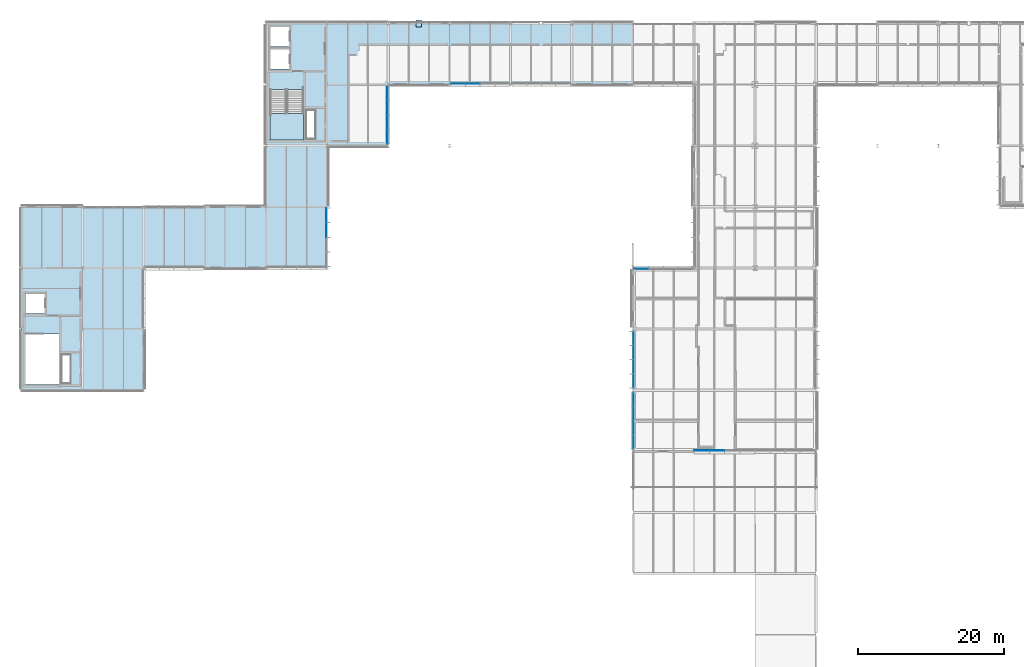
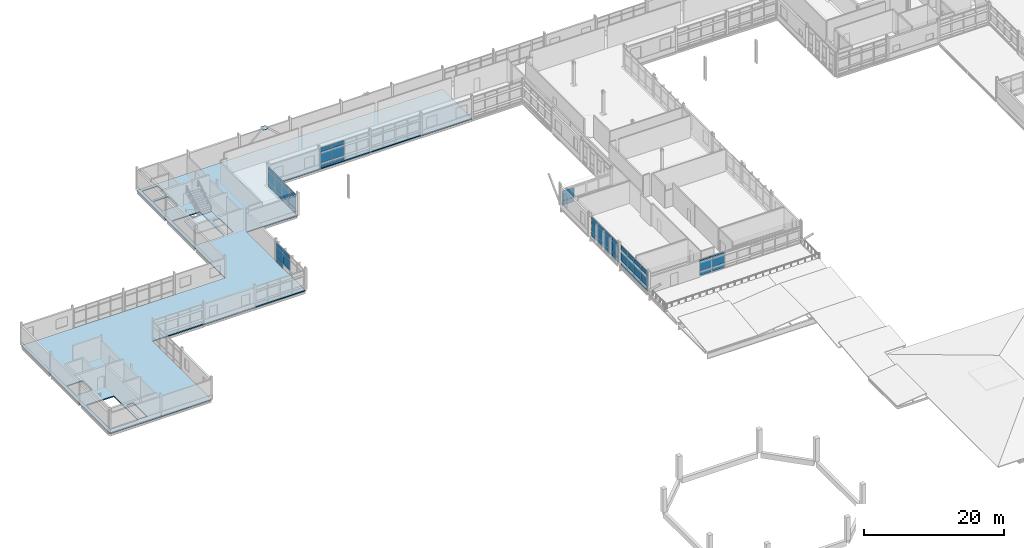
# One storey, part 75 of 103: 56 plates, 2 slabs, 8 elements without a shape of their own.
"""IFC4 building model written with IfcOpenShell, lengths in metres."""

from ifc_helpers import new_model, si_unit, direction, frame, origin, origin_2d, place, context, subcontext, project, spatial, polyline, rectangle, outline, extrude, material, layer, layer_set, type_object, element, aggregate, save


model = new_model("IFC4")

# Units and contexts
model_context = context("Model", 3, precision=1e-05, world=origin(), true_north=direction((0.0, 1.0)))
body_context = subcontext(model_context, "Body", "Model", "MODEL_VIEW")
ifc_project = project(units=[si_unit("LENGTHUNIT", "METRE"), si_unit("AREAUNIT", "SQUARE_METRE"), si_unit("VOLUMEUNIT", "CUBIC_METRE"), si_unit("PLANEANGLEUNIT", "RADIAN"), si_unit("MASSUNIT", "GRAM", prefix="KILO")], contexts=[model_context])

# Site, building, storey
site_placement = place(None, origin())
site = spatial("IfcSite", under=ifc_project, at=site_placement, CompositionType="ELEMENT")
building_placement = place(site_placement, origin())
building = spatial("IfcBuilding", under=site, at=building_placement, Name="Mersafa Astral City Hall", CompositionType="ELEMENT")
storey_placement = place(building_placement, frame((0.0, 0.0, 18.0)))
storey = spatial("IfcBuildingStorey", under=building, at=storey_placement, Name="L04", CompositionType="ELEMENT", Elevation=18.0)

# Curtain wall, plates
ifc_material_1 = material(Name="Anodised bronze aluminium framing", Category="aluminium")
curtain_wall_type_1 = type_object("IfcCurtainWallType", Name="ENV-CW-1", PredefinedType="USERDEFINED", material=ifc_material_1)
curtain_wall_1_placement = place(storey_placement, origin())
curtain_wall_1 = element("IfcCurtainWall", 1, at=curtain_wall_1_placement, inside=storey, type_object=curtain_wall_type_1, Name="L04 Unitised solar curtain wall 204", ObjectType="UNITISED CURTAIN WALL", PredefinedType="USERDEFINED")
ifc_material_2 = material(Name="Solar control low-e double glazing", Category="glass")
ifc_layer_1 = layer(ifc_material_2, 0.028076171875, Name="Solar control low-e double glazing")
ifc_layer_set_1 = layer_set([ifc_layer_1], Name="Solar control low-e double glazing — ENV-CW-PNL-GLZ-1")
plate_type_1 = type_object("IfcPlateType", Name="ENV-CW-PNL-GLZ-1", PredefinedType="CURTAIN_PANEL", material=ifc_layer_set_1)
plate_1_placement = place(storey_placement, frame((68.386474609375, 117.719970703125, 0.05810546875), z_axis=(0.0, 0.0, 1.0), x_axis=(1.0, 0.0, 0.0)))
plate_1 = element("IfcPlate", 2, at=plate_1_placement, type_object=plate_type_1, Name="CW-1 panel 1.1", PredefinedType="CURTAIN_PANEL", context=body_context, shape_type="SweptSolid", body=[
    extrude(rectangle(XDim=1.928955078125, YDim=0.028076171875, at=origin_2d()), origin(), (0.0, 0.0, 1.0), 0.761962890625),
])
plate_2_placement = place(storey_placement, frame((68.386474609375, 117.719970703125, 0.8798828125), z_axis=(0.0, 0.0, 1.0), x_axis=(1.0, 0.0, 0.0)))
plate_2 = element("IfcPlate", 3, at=plate_2_placement, type_object=plate_type_1, Name="CW-1 panel 1.2", PredefinedType="CURTAIN_PANEL", context=body_context, shape_type="SweptSolid", body=[
    extrude(rectangle(XDim=1.928955078125, YDim=0.028076171875, at=origin_2d()), origin(), (0.0, 0.0, 1.0), 1.840087890625),
])
plate_3_placement = place(storey_placement, frame((68.386474609375, 117.719970703125, 2.780029296875), z_axis=(0.0, 0.0, 1.0), x_axis=(1.0, 0.0, 0.0)))
plate_3 = element("IfcPlate", 4, at=plate_3_placement, type_object=plate_type_1, Name="CW-1 panel 1.3", PredefinedType="CURTAIN_PANEL", context=body_context, shape_type="SweptSolid", body=[
    extrude(rectangle(XDim=1.928955078125, YDim=0.028076171875, at=origin_2d()), origin(), (0.0, 0.0, 1.0), 0.6669921875),
])
plate_4_placement = place(storey_placement, frame((70.390380859375, 117.719970703125, 0.05810546875), z_axis=(0.0, 0.0, 1.0), x_axis=(1.0, 0.0, 0.0)))
plate_4 = element("IfcPlate", 5, at=plate_4_placement, type_object=plate_type_1, Name="CW-1 panel 2.1", PredefinedType="CURTAIN_PANEL", context=body_context, shape_type="SweptSolid", body=[
    extrude(rectangle(XDim=1.958984375, YDim=0.028076171875, at=origin_2d()), origin(), (0.0, 0.0, 1.0), 0.761962890625),
])
plate_5_placement = place(storey_placement, frame((70.390380859375, 117.719970703125, 0.8798828125), z_axis=(0.0, 0.0, 1.0), x_axis=(1.0, 0.0, 0.0)))
plate_5 = element("IfcPlate", 6, at=plate_5_placement, type_object=plate_type_1, Name="CW-1 panel 2.2", PredefinedType="CURTAIN_PANEL", context=body_context, shape_type="SweptSolid", body=[
    extrude(rectangle(XDim=1.958984375, YDim=0.028076171875, at=origin_2d()), origin(), (0.0, 0.0, 1.0), 1.840087890625),
])
plate_6_placement = place(storey_placement, frame((70.390380859375, 117.719970703125, 2.780029296875), z_axis=(0.0, 0.0, 1.0), x_axis=(1.0, 0.0, 0.0)))
plate_6 = element("IfcPlate", 7, at=plate_6_placement, type_object=plate_type_1, Name="CW-1 panel 2.3", PredefinedType="CURTAIN_PANEL", context=body_context, shape_type="SweptSolid", body=[
    extrude(rectangle(XDim=1.958984375, YDim=0.028076171875, at=origin_2d()), origin(), (0.0, 0.0, 1.0), 0.6669921875),
])
aggregate(curtain_wall_1, [plate_1, plate_2, plate_3, plate_4, plate_5, plate_6])

curtain_wall_type_2 = type_object("IfcCurtainWallType", Name="ENV-CW-3", PredefinedType="USERDEFINED", material=ifc_material_1)
curtain_wall_2_placement = place(storey_placement, origin())
curtain_wall_2 = element("IfcCurtainWall", 8, at=curtain_wall_2_placement, inside=storey, type_object=curtain_wall_type_2, Name="L04 Unitised solar curtain wall 212", ObjectType="UNITISED CURTAIN WALL", PredefinedType="USERDEFINED")
plate_7_placement = place(storey_placement, frame((101.864990234375, 67.320068359375, 0.05810546875), z_axis=(0.0, 0.0, 1.0), x_axis=(1.0, 0.0, 0.0)))
plate_7 = element("IfcPlate", 9, at=plate_7_placement, type_object=plate_type_1, Name="CW-3 panel 1.1", PredefinedType="CURTAIN_PANEL", context=body_context, shape_type="SweptSolid", body=[
    extrude(rectangle(XDim=2.010009765625, YDim=0.028076171875, at=origin_2d()), origin(), (0.0, 0.0, 1.0), 0.761962890625),
])
plate_8_placement = place(storey_placement, frame((101.864990234375, 67.320068359375, 0.880126953125), z_axis=(0.0, 0.0, 1.0), x_axis=(1.0, 0.0, 0.0)))
plate_8 = element("IfcPlate", 10, at=plate_8_placement, type_object=plate_type_1, Name="CW-3 panel 1.2", PredefinedType="CURTAIN_PANEL", context=body_context, shape_type="SweptSolid", body=[
    extrude(rectangle(XDim=2.010009765625, YDim=0.028076171875, at=origin_2d()), origin(), (0.0, 0.0, 1.0), 1.60693359375),
])
plate_9_placement = place(storey_placement, frame((101.864990234375, 67.320068359375, 2.546875), z_axis=(0.0, 0.0, 1.0), x_axis=(1.0, 0.0, 0.0)))
plate_9 = element("IfcPlate", 11, at=plate_9_placement, type_object=plate_type_1, Name="CW-3 panel 1.3", PredefinedType="CURTAIN_PANEL", context=body_context, shape_type="SweptSolid", body=[
    extrude(rectangle(XDim=2.010009765625, YDim=0.028076171875, at=origin_2d()), origin(), (0.0, 0.0, 1.0), 0.260009765625),
])
plate_10_placement = place(storey_placement, frame((103.949951171875, 67.320068359375, 0.05810546875), z_axis=(0.0, 0.0, 1.0), x_axis=(1.0, 0.0, 0.0)))
plate_10 = element("IfcPlate", 12, at=plate_10_placement, type_object=plate_type_1, Name="CW-3 panel 2.1", PredefinedType="CURTAIN_PANEL", context=body_context, shape_type="SweptSolid", body=[
    extrude(rectangle(XDim=2.0400390625, YDim=0.028076171875, at=origin_2d()), origin(), (0.0, 0.0, 1.0), 0.761962890625),
])
plate_11_placement = place(storey_placement, frame((103.949951171875, 67.320068359375, 0.880126953125), z_axis=(0.0, 0.0, 1.0), x_axis=(1.0, 0.0, 0.0)))
plate_11 = element("IfcPlate", 13, at=plate_11_placement, type_object=plate_type_1, Name="CW-3 panel 2.2", PredefinedType="CURTAIN_PANEL", context=body_context, shape_type="SweptSolid", body=[
    extrude(rectangle(XDim=2.0400390625, YDim=0.028076171875, at=origin_2d()), origin(), (0.0, 0.0, 1.0), 1.60693359375),
])
plate_12_placement = place(storey_placement, frame((103.949951171875, 67.320068359375, 2.546875), z_axis=(0.0, 0.0, 1.0), x_axis=(1.0, 0.0, 0.0)))
plate_12 = element("IfcPlate", 14, at=plate_12_placement, type_object=plate_type_1, Name="CW-3 panel 2.3", PredefinedType="CURTAIN_PANEL", context=body_context, shape_type="SweptSolid", body=[
    extrude(rectangle(XDim=2.0400390625, YDim=0.028076171875, at=origin_2d()), origin(), (0.0, 0.0, 1.0), 0.260009765625),
])
aggregate(curtain_wall_2, [plate_7, plate_8, plate_9, plate_10, plate_11, plate_12])

curtain_wall_type_3 = type_object("IfcCurtainWallType", Name="ENV-CW-6", PredefinedType="USERDEFINED", material=ifc_material_1)
curtain_wall_3_placement = place(storey_placement, origin())
curtain_wall_3 = element("IfcCurtainWall", 15, at=curtain_wall_3_placement, inside=storey, type_object=curtain_wall_type_3, Name="L04 Unitised solar curtain wall 209", ObjectType="UNITISED CURTAIN WALL", PredefinedType="USERDEFINED")
ifc_layer_2 = layer(ifc_material_2, 0.031982421875, Name="Solar control low-e double glazing")
ifc_layer_set_2 = layer_set([ifc_layer_2], Name="Solar control low-e double glazing — ENV-CW-PNL-GLZ-2")
plate_type_2 = type_object("IfcPlateType", Name="ENV-CW-PNL-GLZ-2", PredefinedType="CURTAIN_PANEL", material=ifc_layer_set_2)
plate_13_placement = place(storey_placement, frame((93.58642578125, 92.280029296875, 0.05810546875), z_axis=(0.0, 0.0, 1.0), x_axis=(-1.0, 0.0, 0.0)))
plate_13 = element("IfcPlate", 16, at=plate_13_placement, type_object=plate_type_2, Name="CW-6 panel 4.1", PredefinedType="CURTAIN_PANEL", context=body_context, shape_type="SweptSolid", body=[
    extrude(rectangle(XDim=1.928955078125, YDim=0.031982421875, at=origin_2d()), origin(), (0.0, 0.0, 1.0), 0.761962890625),
])
plate_14_placement = place(storey_placement, frame((93.58642578125, 92.280029296875, 0.8798828125), z_axis=(0.0, 0.0, 1.0), x_axis=(-1.0, 0.0, 0.0)))
plate_14 = element("IfcPlate", 17, at=plate_14_placement, type_object=plate_type_2, Name="CW-6 panel 4.2", PredefinedType="CURTAIN_PANEL", context=body_context, shape_type="SweptSolid", body=[
    extrude(rectangle(XDim=1.928955078125, YDim=0.031982421875, at=origin_2d()), origin(), (0.0, 0.0, 1.0), 1.68701171875),
])
aggregate(curtain_wall_3, [plate_13, plate_14])

curtain_wall_type_4 = type_object("IfcCurtainWallType", Name="ENV-CW-5", PredefinedType="USERDEFINED", material=ifc_material_1)
curtain_wall_4_placement = place(storey_placement, origin())
curtain_wall_4 = element("IfcCurtainWall", 18, at=curtain_wall_4_placement, inside=storey, type_object=curtain_wall_type_4, Name="L04 Unitised solar curtain wall 202", ObjectType="UNITISED CURTAIN WALL", PredefinedType="USERDEFINED")
ifc_layer_3 = layer(ifc_material_2, 0.035888671875, Name="Solar control low-e double glazing")
ifc_layer_set_3 = layer_set([ifc_layer_3], Name="Solar control low-e double glazing — ENV-CW-PNL-GLZ-3")
plate_type_3 = type_object("IfcPlateType", Name="ENV-CW-PNL-GLZ-3", PredefinedType="CURTAIN_PANEL", material=ifc_layer_set_3)
plate_15_placement = place(storey_placement, frame((50.280029296875, 97.609619140625, 0.8798828125), z_axis=(0.0, 0.0, 1.0), x_axis=(0.0, 1.0, 0.0)))
plate_15 = element("IfcPlate", 19, at=plate_15_placement, type_object=plate_type_3, Name="CW-5 panel 3.2", PredefinedType="CURTAIN_PANEL", context=body_context, shape_type="SweptSolid", body=[
    extrude(rectangle(XDim=1.958984375, YDim=0.035888671875, at=origin_2d()), origin(), (0.0, 0.0, 1.0), 1.840087890625),
])
plate_16_placement = place(storey_placement, frame((50.280029296875, 97.609619140625, 2.77978515625), z_axis=(0.0, 0.0, 1.0), x_axis=(0.0, 1.0, 0.0)))
plate_16 = element("IfcPlate", 20, at=plate_16_placement, type_object=plate_type_3, Name="CW-5 panel 3.3", PredefinedType="CURTAIN_PANEL", context=body_context, shape_type="SweptSolid", body=[
    extrude(rectangle(XDim=1.958984375, YDim=0.035888671875, at=origin_2d()), origin(), (0.0, 0.0, 1.0), 0.737060546875),
])
plate_17_placement = place(storey_placement, frame((50.280029296875, 99.613525390625, 0.05810546875), z_axis=(0.0, 0.0, 1.0), x_axis=(0.0, 1.0, 0.0)))
plate_17 = element("IfcPlate", 21, at=plate_17_placement, type_object=plate_type_3, Name="CW-5 panel 4.1", PredefinedType="CURTAIN_PANEL", context=body_context, shape_type="SweptSolid", body=[
    extrude(rectangle(XDim=1.928955078125, YDim=0.035888671875, at=origin_2d()), origin(), (0.0, 0.0, 1.0), 0.761962890625),
])
plate_18_placement = place(storey_placement, frame((50.280029296875, 99.613525390625, 0.8798828125), z_axis=(0.0, 0.0, 1.0), x_axis=(0.0, 1.0, 0.0)))
plate_18 = element("IfcPlate", 22, at=plate_18_placement, type_object=plate_type_3, Name="CW-5 panel 4.2", PredefinedType="CURTAIN_PANEL", context=body_context, shape_type="SweptSolid", body=[
    extrude(rectangle(XDim=1.928955078125, YDim=0.035888671875, at=origin_2d()), origin(), (0.0, 0.0, 1.0), 1.840087890625),
])
plate_19_placement = place(storey_placement, frame((50.280029296875, 99.613525390625, 2.77978515625), z_axis=(0.0, 0.0, 1.0), x_axis=(0.0, 1.0, 0.0)))
plate_19 = element("IfcPlate", 23, at=plate_19_placement, type_object=plate_type_3, Name="CW-5 panel 4.3", PredefinedType="CURTAIN_PANEL", context=body_context, shape_type="SweptSolid", body=[
    extrude(rectangle(XDim=1.928955078125, YDim=0.035888671875, at=origin_2d()), origin(), (0.0, 0.0, 1.0), 0.737060546875),
])
aggregate(curtain_wall_4, [plate_15, plate_16, plate_17, plate_18, plate_19])

curtain_wall_5_placement = place(storey_placement, origin())
curtain_wall_5 = element("IfcCurtainWall", 24, at=curtain_wall_5_placement, inside=storey, type_object=curtain_wall_type_1, Name="L04 Unitised solar curtain wall 210", ObjectType="UNITISED CURTAIN WALL", PredefinedType="USERDEFINED")
plate_20_placement = place(storey_placement, frame((92.52001953125, 82.7197265625, 0.05810546875), z_axis=(0.0, 0.0, 1.0), x_axis=(0.0, -1.0, 0.0)))
plate_20 = element("IfcPlate", 25, at=plate_20_placement, type_object=plate_type_3, Name="CW-1 panel 1.1", PredefinedType="CURTAIN_PANEL", context=body_context, shape_type="SweptSolid", body=[
    extrude(rectangle(XDim=1.866455078125, YDim=0.035888671875, at=origin_2d()), origin(), (0.0, 0.0, 1.0), 0.761962890625),
])
plate_21_placement = place(storey_placement, frame((92.52001953125, 82.7197265625, 0.8798828125), z_axis=(0.0, 0.0, 1.0), x_axis=(0.0, -1.0, 0.0)))
plate_21 = element("IfcPlate", 26, at=plate_21_placement, type_object=plate_type_3, Name="CW-1 panel 1.2", PredefinedType="CURTAIN_PANEL", context=body_context, shape_type="SweptSolid", body=[
    extrude(rectangle(XDim=1.866455078125, YDim=0.035888671875, at=origin_2d()), origin(), (0.0, 0.0, 1.0), 1.840087890625),
])
plate_22_placement = place(storey_placement, frame((92.52001953125, 82.7197265625, 2.780029296875), z_axis=(0.0, 0.0, 1.0), x_axis=(0.0, -1.0, 0.0)))
plate_22 = element("IfcPlate", 27, at=plate_22_placement, type_object=plate_type_3, Name="CW-1 panel 1.3", PredefinedType="CURTAIN_PANEL", context=body_context, shape_type="SweptSolid", body=[
    extrude(rectangle(XDim=1.866455078125, YDim=0.035888671875, at=origin_2d()), origin(), (0.0, 0.0, 1.0), 0.6669921875),
])
plate_23_placement = place(storey_placement, frame((92.52001953125, 80.7783203125, 0.05810546875), z_axis=(0.0, 0.0, 1.0), x_axis=(0.0, -1.0, 0.0)))
plate_23 = element("IfcPlate", 28, at=plate_23_placement, type_object=plate_type_3, Name="CW-1 panel 2.1", PredefinedType="CURTAIN_PANEL", context=body_context, shape_type="SweptSolid", body=[
    extrude(rectangle(XDim=1.896484375, YDim=0.035888671875, at=origin_2d()), origin(), (0.0, 0.0, 1.0), 0.761962890625),
])
plate_24_placement = place(storey_placement, frame((92.52001953125, 80.7783203125, 0.8798828125), z_axis=(0.0, 0.0, 1.0), x_axis=(0.0, -1.0, 0.0)))
plate_24 = element("IfcPlate", 29, at=plate_24_placement, type_object=plate_type_3, Name="CW-1 panel 2.2", PredefinedType="CURTAIN_PANEL", context=body_context, shape_type="SweptSolid", body=[
    extrude(rectangle(XDim=1.896484375, YDim=0.035888671875, at=origin_2d()), origin(), (0.0, 0.0, 1.0), 1.840087890625),
])
plate_25_placement = place(storey_placement, frame((92.52001953125, 80.7783203125, 2.780029296875), z_axis=(0.0, 0.0, 1.0), x_axis=(0.0, -1.0, 0.0)))
plate_25 = element("IfcPlate", 30, at=plate_25_placement, type_object=plate_type_3, Name="CW-1 panel 2.3", PredefinedType="CURTAIN_PANEL", context=body_context, shape_type="SweptSolid", body=[
    extrude(rectangle(XDim=1.896484375, YDim=0.035888671875, at=origin_2d()), origin(), (0.0, 0.0, 1.0), 0.6669921875),
])
plate_26_placement = place(storey_placement, frame((92.52001953125, 78.82177734375, 0.05810546875), z_axis=(0.0, 0.0, 1.0), x_axis=(0.0, -1.0, 0.0)))
plate_26 = element("IfcPlate", 31, at=plate_26_placement, type_object=plate_type_3, Name="CW-1 panel 3.1", PredefinedType="CURTAIN_PANEL", context=body_context, shape_type="SweptSolid", body=[
    extrude(rectangle(XDim=1.896484375, YDim=0.035888671875, at=origin_2d()), origin(), (0.0, 0.0, 1.0), 0.761962890625),
])
plate_27_placement = place(storey_placement, frame((92.52001953125, 78.82177734375, 0.8798828125), z_axis=(0.0, 0.0, 1.0), x_axis=(0.0, -1.0, 0.0)))
plate_27 = element("IfcPlate", 32, at=plate_27_placement, type_object=plate_type_3, Name="CW-1 panel 3.2", PredefinedType="CURTAIN_PANEL", context=body_context, shape_type="SweptSolid", body=[
    extrude(rectangle(XDim=1.896484375, YDim=0.035888671875, at=origin_2d()), origin(), (0.0, 0.0, 1.0), 1.840087890625),
])
plate_28_placement = place(storey_placement, frame((92.52001953125, 78.82177734375, 2.780029296875), z_axis=(0.0, 0.0, 1.0), x_axis=(0.0, -1.0, 0.0)))
plate_28 = element("IfcPlate", 33, at=plate_28_placement, type_object=plate_type_3, Name="CW-1 panel 3.3", PredefinedType="CURTAIN_PANEL", context=body_context, shape_type="SweptSolid", body=[
    extrude(rectangle(XDim=1.896484375, YDim=0.035888671875, at=origin_2d()), origin(), (0.0, 0.0, 1.0), 0.6669921875),
])
plate_29_placement = place(storey_placement, frame((92.52001953125, 76.88037109375, 0.05810546875), z_axis=(0.0, 0.0, 1.0), x_axis=(0.0, -1.0, 0.0)))
plate_29 = element("IfcPlate", 34, at=plate_29_placement, type_object=plate_type_3, Name="CW-1 panel 4.1", PredefinedType="CURTAIN_PANEL", context=body_context, shape_type="SweptSolid", body=[
    extrude(rectangle(XDim=1.866455078125, YDim=0.035888671875, at=origin_2d()), origin(), (0.0, 0.0, 1.0), 0.761962890625),
])
plate_30_placement = place(storey_placement, frame((92.52001953125, 76.88037109375, 0.8798828125), z_axis=(0.0, 0.0, 1.0), x_axis=(0.0, -1.0, 0.0)))
plate_30 = element("IfcPlate", 35, at=plate_30_placement, type_object=plate_type_3, Name="CW-1 panel 4.2", PredefinedType="CURTAIN_PANEL", context=body_context, shape_type="SweptSolid", body=[
    extrude(rectangle(XDim=1.866455078125, YDim=0.035888671875, at=origin_2d()), origin(), (0.0, 0.0, 1.0), 1.840087890625),
])
plate_31_placement = place(storey_placement, frame((92.52001953125, 76.88037109375, 2.780029296875), z_axis=(0.0, 0.0, 1.0), x_axis=(0.0, -1.0, 0.0)))
plate_31 = element("IfcPlate", 36, at=plate_31_placement, type_object=plate_type_3, Name="CW-1 panel 4.3", PredefinedType="CURTAIN_PANEL", context=body_context, shape_type="SweptSolid", body=[
    extrude(rectangle(XDim=1.866455078125, YDim=0.035888671875, at=origin_2d()), origin(), (0.0, 0.0, 1.0), 0.6669921875),
])
aggregate(curtain_wall_5, [plate_20, plate_21, plate_22, plate_23, plate_24, plate_25, plate_26, plate_27, plate_28, plate_29, plate_30, plate_31])

curtain_wall_6_placement = place(storey_placement, origin())
curtain_wall_6 = element("IfcCurtainWall", 37, at=curtain_wall_6_placement, inside=storey, type_object=curtain_wall_type_3, Name="L04 Unitised solar curtain wall 203", ObjectType="UNITISED CURTAIN WALL", PredefinedType="USERDEFINED")
ifc_layer_4 = layer(ifc_material_2, 0.0400390625, Name="Solar control low-e double glazing")
ifc_layer_set_4 = layer_set([ifc_layer_4], Name="Solar control low-e double glazing — ENV-CW-PNL-GLZ-4")
plate_type_4 = type_object("IfcPlateType", Name="ENV-CW-PNL-GLZ-4", PredefinedType="CURTAIN_PANEL", material=ifc_layer_set_4)
plate_32_placement = place(storey_placement, frame((58.679931640625, 110.424072265625, 0.05810546875), z_axis=(0.0, 0.0, 1.0), x_axis=(0.0, 1.0, 0.0)))
plate_32 = element("IfcPlate", 38, at=plate_32_placement, type_object=plate_type_4, Name="CW-6 panel 1.1", PredefinedType="CURTAIN_PANEL", context=body_context, shape_type="SweptSolid", body=[
    extrude(rectangle(XDim=1.904052734375, YDim=0.0400390625, at=origin_2d()), origin(), (0.0, 0.0, 1.0), 0.761962890625),
])
plate_33_placement = place(storey_placement, frame((58.679931640625, 110.424072265625, 0.8798828125), z_axis=(0.0, 0.0, 1.0), x_axis=(0.0, 1.0, 0.0)))
plate_33 = element("IfcPlate", 39, at=plate_33_placement, type_object=plate_type_4, Name="CW-6 panel 1.2", PredefinedType="CURTAIN_PANEL", context=body_context, shape_type="SweptSolid", body=[
    extrude(rectangle(XDim=1.904052734375, YDim=0.0400390625, at=origin_2d()), origin(), (0.0, 0.0, 1.0), 1.840087890625),
])
plate_34_placement = place(storey_placement, frame((58.679931640625, 110.424072265625, 2.780029296875), z_axis=(0.0, 0.0, 1.0), x_axis=(0.0, 1.0, 0.0)))
plate_34 = element("IfcPlate", 40, at=plate_34_placement, type_object=plate_type_4, Name="CW-6 panel 1.3", PredefinedType="CURTAIN_PANEL", context=body_context, shape_type="SweptSolid", body=[
    extrude(rectangle(XDim=1.904052734375, YDim=0.0400390625, at=origin_2d()), origin(), (0.0, 0.0, 1.0), 0.6669921875),
])
plate_35_placement = place(storey_placement, frame((58.679931640625, 112.403076171875, 0.05810546875), z_axis=(0.0, 0.0, 1.0), x_axis=(0.0, 1.0, 0.0)))
plate_35 = element("IfcPlate", 41, at=plate_35_placement, type_object=plate_type_4, Name="CW-6 panel 2.1", PredefinedType="CURTAIN_PANEL", context=body_context, shape_type="SweptSolid", body=[
    extrude(rectangle(XDim=1.93408203125, YDim=0.0400390625, at=origin_2d()), origin(), (0.0, 0.0, 1.0), 0.761962890625),
])
plate_36_placement = place(storey_placement, frame((58.679931640625, 112.403076171875, 0.8798828125), z_axis=(0.0, 0.0, 1.0), x_axis=(0.0, 1.0, 0.0)))
plate_36 = element("IfcPlate", 42, at=plate_36_placement, type_object=plate_type_4, Name="CW-6 panel 2.2", PredefinedType="CURTAIN_PANEL", context=body_context, shape_type="SweptSolid", body=[
    extrude(rectangle(XDim=1.93408203125, YDim=0.0400390625, at=origin_2d()), origin(), (0.0, 0.0, 1.0), 1.840087890625),
])
plate_37_placement = place(storey_placement, frame((58.679931640625, 112.403076171875, 2.780029296875), z_axis=(0.0, 0.0, 1.0), x_axis=(0.0, 1.0, 0.0)))
plate_37 = element("IfcPlate", 43, at=plate_37_placement, type_object=plate_type_4, Name="CW-6 panel 2.3", PredefinedType="CURTAIN_PANEL", context=body_context, shape_type="SweptSolid", body=[
    extrude(rectangle(XDim=1.93408203125, YDim=0.0400390625, at=origin_2d()), origin(), (0.0, 0.0, 1.0), 0.6669921875),
])
plate_38_placement = place(storey_placement, frame((58.679931640625, 114.39697265625, 0.05810546875), z_axis=(0.0, 0.0, 1.0), x_axis=(0.0, 1.0, 0.0)))
plate_38 = element("IfcPlate", 44, at=plate_38_placement, type_object=plate_type_4, Name="CW-6 panel 3.1", PredefinedType="CURTAIN_PANEL", context=body_context, shape_type="SweptSolid", body=[
    extrude(rectangle(XDim=1.93408203125, YDim=0.0400390625, at=origin_2d()), origin(), (0.0, 0.0, 1.0), 0.761962890625),
])
plate_39_placement = place(storey_placement, frame((58.679931640625, 114.39697265625, 0.8798828125), z_axis=(0.0, 0.0, 1.0), x_axis=(0.0, 1.0, 0.0)))
plate_39 = element("IfcPlate", 45, at=plate_39_placement, type_object=plate_type_4, Name="CW-6 panel 3.2", PredefinedType="CURTAIN_PANEL", context=body_context, shape_type="SweptSolid", body=[
    extrude(rectangle(XDim=1.93408203125, YDim=0.0400390625, at=origin_2d()), origin(), (0.0, 0.0, 1.0), 1.840087890625),
])
plate_40_placement = place(storey_placement, frame((58.679931640625, 114.39697265625, 2.780029296875), z_axis=(0.0, 0.0, 1.0), x_axis=(0.0, 1.0, 0.0)))
plate_40 = element("IfcPlate", 46, at=plate_40_placement, type_object=plate_type_4, Name="CW-6 panel 3.3", PredefinedType="CURTAIN_PANEL", context=body_context, shape_type="SweptSolid", body=[
    extrude(rectangle(XDim=1.93408203125, YDim=0.0400390625, at=origin_2d()), origin(), (0.0, 0.0, 1.0), 0.6669921875),
])
plate_41_placement = place(storey_placement, frame((58.679931640625, 116.3759765625, 0.05810546875), z_axis=(0.0, 0.0, 1.0), x_axis=(0.0, 1.0, 0.0)))
plate_41 = element("IfcPlate", 47, at=plate_41_placement, type_object=plate_type_4, Name="CW-6 panel 4.1", PredefinedType="CURTAIN_PANEL", context=body_context, shape_type="SweptSolid", body=[
    extrude(rectangle(XDim=1.904052734375, YDim=0.0400390625, at=origin_2d()), origin(), (0.0, 0.0, 1.0), 0.761962890625),
])
plate_42_placement = place(storey_placement, frame((58.679931640625, 116.3759765625, 0.8798828125), z_axis=(0.0, 0.0, 1.0), x_axis=(0.0, 1.0, 0.0)))
plate_42 = element("IfcPlate", 48, at=plate_42_placement, type_object=plate_type_4, Name="CW-6 panel 4.2", PredefinedType="CURTAIN_PANEL", context=body_context, shape_type="SweptSolid", body=[
    extrude(rectangle(XDim=1.904052734375, YDim=0.0400390625, at=origin_2d()), origin(), (0.0, 0.0, 1.0), 1.840087890625),
])
plate_43_placement = place(storey_placement, frame((58.679931640625, 116.3759765625, 2.780029296875), z_axis=(0.0, 0.0, 1.0), x_axis=(0.0, 1.0, 0.0)))
plate_43 = element("IfcPlate", 49, at=plate_43_placement, type_object=plate_type_4, Name="CW-6 panel 4.3", PredefinedType="CURTAIN_PANEL", context=body_context, shape_type="SweptSolid", body=[
    extrude(rectangle(XDim=1.904052734375, YDim=0.0400390625, at=origin_2d()), origin(), (0.0, 0.0, 1.0), 0.6669921875),
])
aggregate(curtain_wall_6, [plate_32, plate_33, plate_34, plate_35, plate_36, plate_37, plate_38, plate_39, plate_40, plate_41, plate_42, plate_43])

curtain_wall_type_5 = type_object("IfcCurtainWallType", Name="ENV-CW-2", PredefinedType="USERDEFINED", material=ifc_material_1)
curtain_wall_7_placement = place(storey_placement, origin())
curtain_wall_7 = element("IfcCurtainWall", 50, at=curtain_wall_7_placement, inside=storey, type_object=curtain_wall_type_5, Name="L04 Unitised solar curtain wall 211", ObjectType="UNITISED CURTAIN WALL", PredefinedType="USERDEFINED")
plate_44_placement = place(storey_placement, frame((92.52001953125, 74.31982421875, 0.05810546875), z_axis=(0.0, 0.0, 1.0), x_axis=(0.0, -1.0, 0.0)))
plate_44 = element("IfcPlate", 51, at=plate_44_placement, type_object=plate_type_4, Name="CW-2 panel 1.1", PredefinedType="CURTAIN_PANEL", context=body_context, shape_type="SweptSolid", body=[
    extrude(rectangle(XDim=1.866455078125, YDim=0.0400390625, at=origin_2d()), origin(), (0.0, 0.0, 1.0), 0.761962890625),
])
plate_45_placement = place(storey_placement, frame((92.52001953125, 74.31982421875, 0.8798828125), z_axis=(0.0, 0.0, 1.0), x_axis=(0.0, -1.0, 0.0)))
plate_45 = element("IfcPlate", 52, at=plate_45_placement, type_object=plate_type_4, Name="CW-2 panel 1.2", PredefinedType="CURTAIN_PANEL", context=body_context, shape_type="SweptSolid", body=[
    extrude(rectangle(XDim=1.866455078125, YDim=0.0400390625, at=origin_2d()), origin(), (0.0, 0.0, 1.0), 1.840087890625),
])
plate_46_placement = place(storey_placement, frame((92.52001953125, 74.31982421875, 2.77978515625), z_axis=(0.0, 0.0, 1.0), x_axis=(0.0, -1.0, 0.0)))
plate_46 = element("IfcPlate", 53, at=plate_46_placement, type_object=plate_type_4, Name="CW-2 panel 1.3", PredefinedType="CURTAIN_PANEL", context=body_context, shape_type="SweptSolid", body=[
    extrude(rectangle(XDim=1.866455078125, YDim=0.0400390625, at=origin_2d()), origin(), (0.0, 0.0, 1.0), 0.757080078125),
])
plate_47_placement = place(storey_placement, frame((92.52001953125, 72.378173828125, 0.05810546875), z_axis=(0.0, 0.0, 1.0), x_axis=(0.0, -1.0, 0.0)))
plate_47 = element("IfcPlate", 54, at=plate_47_placement, type_object=plate_type_4, Name="CW-2 panel 2.1", PredefinedType="CURTAIN_PANEL", context=body_context, shape_type="SweptSolid", body=[
    extrude(rectangle(XDim=1.896484375, YDim=0.0400390625, at=origin_2d()), origin(), (0.0, 0.0, 1.0), 0.761962890625),
])
plate_48_placement = place(storey_placement, frame((92.52001953125, 72.378173828125, 0.8798828125), z_axis=(0.0, 0.0, 1.0), x_axis=(0.0, -1.0, 0.0)))
plate_48 = element("IfcPlate", 55, at=plate_48_placement, type_object=plate_type_4, Name="CW-2 panel 2.2", PredefinedType="CURTAIN_PANEL", context=body_context, shape_type="SweptSolid", body=[
    extrude(rectangle(XDim=1.896484375, YDim=0.0400390625, at=origin_2d()), origin(), (0.0, 0.0, 1.0), 1.840087890625),
])
plate_49_placement = place(storey_placement, frame((92.52001953125, 72.378173828125, 2.77978515625), z_axis=(0.0, 0.0, 1.0), x_axis=(0.0, -1.0, 0.0)))
plate_49 = element("IfcPlate", 56, at=plate_49_placement, type_object=plate_type_4, Name="CW-2 panel 2.3", PredefinedType="CURTAIN_PANEL", context=body_context, shape_type="SweptSolid", body=[
    extrude(rectangle(XDim=1.896484375, YDim=0.0400390625, at=origin_2d()), origin(), (0.0, 0.0, 1.0), 0.757080078125),
])
plate_50_placement = place(storey_placement, frame((92.52001953125, 70.421630859375, 0.05810546875), z_axis=(0.0, 0.0, 1.0), x_axis=(0.0, -1.0, 0.0)))
plate_50 = element("IfcPlate", 57, at=plate_50_placement, type_object=plate_type_4, Name="CW-2 panel 3.1", PredefinedType="CURTAIN_PANEL", context=body_context, shape_type="SweptSolid", body=[
    extrude(rectangle(XDim=1.896484375, YDim=0.0400390625, at=origin_2d()), origin(), (0.0, 0.0, 1.0), 0.761962890625),
])
plate_51_placement = place(storey_placement, frame((92.52001953125, 70.421630859375, 0.8798828125), z_axis=(0.0, 0.0, 1.0), x_axis=(0.0, -1.0, 0.0)))
plate_51 = element("IfcPlate", 58, at=plate_51_placement, type_object=plate_type_4, Name="CW-2 panel 3.2", PredefinedType="CURTAIN_PANEL", context=body_context, shape_type="SweptSolid", body=[
    extrude(rectangle(XDim=1.896484375, YDim=0.0400390625, at=origin_2d()), origin(), (0.0, 0.0, 1.0), 1.840087890625),
])
plate_52_placement = place(storey_placement, frame((92.52001953125, 70.421630859375, 2.77978515625), z_axis=(0.0, 0.0, 1.0), x_axis=(0.0, -1.0, 0.0)))
plate_52 = element("IfcPlate", 59, at=plate_52_placement, type_object=plate_type_4, Name="CW-2 panel 3.3", PredefinedType="CURTAIN_PANEL", context=body_context, shape_type="SweptSolid", body=[
    extrude(rectangle(XDim=1.896484375, YDim=0.0400390625, at=origin_2d()), origin(), (0.0, 0.0, 1.0), 0.757080078125),
])
plate_53_placement = place(storey_placement, frame((92.52001953125, 68.480224609375, 0.05810546875), z_axis=(0.0, 0.0, 1.0), x_axis=(0.0, -1.0, 0.0)))
plate_53 = element("IfcPlate", 60, at=plate_53_placement, type_object=plate_type_4, Name="CW-2 panel 4.1", PredefinedType="CURTAIN_PANEL", context=body_context, shape_type="SweptSolid", body=[
    extrude(rectangle(XDim=1.866455078125, YDim=0.0400390625, at=origin_2d()), origin(), (0.0, 0.0, 1.0), 0.761962890625),
])
plate_54_placement = place(storey_placement, frame((92.52001953125, 68.480224609375, 0.8798828125), z_axis=(0.0, 0.0, 1.0), x_axis=(0.0, -1.0, 0.0)))
plate_54 = element("IfcPlate", 61, at=plate_54_placement, type_object=plate_type_4, Name="CW-2 panel 4.2", PredefinedType="CURTAIN_PANEL", context=body_context, shape_type="SweptSolid", body=[
    extrude(rectangle(XDim=1.866455078125, YDim=0.0400390625, at=origin_2d()), origin(), (0.0, 0.0, 1.0), 1.840087890625),
])
plate_55_placement = place(storey_placement, frame((92.52001953125, 68.480224609375, 2.77978515625), z_axis=(0.0, 0.0, 1.0), x_axis=(0.0, -1.0, 0.0)))
plate_55 = element("IfcPlate", 62, at=plate_55_placement, type_object=plate_type_4, Name="CW-2 panel 4.3", PredefinedType="CURTAIN_PANEL", context=body_context, shape_type="SweptSolid", body=[
    extrude(rectangle(XDim=1.866455078125, YDim=0.0400390625, at=origin_2d()), origin(), (0.0, 0.0, 1.0), 0.757080078125),
])
aggregate(curtain_wall_7, [plate_44, plate_45, plate_46, plate_47, plate_48, plate_49, plate_50, plate_51, plate_52, plate_53, plate_54, plate_55])

# Stair, slab
ifc_material_3 = material(Name="Concrete C40/50", Category="concrete")
stair_type = type_object("IfcStairType", Name="STAIR", PredefinedType="HALF_TURN_STAIR", material=ifc_material_3)
stair_placement = place(storey_placement, origin())
stair = element("IfcStair", 63, at=stair_placement, inside=storey, type_object=stair_type, Name="L04 Protected Exit Stair ST3", PredefinedType="HALF_TURN_STAIR")
ifc_layer_5 = layer(ifc_material_3, 0.199951171875, Name="Concrete C40/50")
ifc_layer_set_5 = layer_set([ifc_layer_5], Name="Concrete C40/50 — STAIR-LANDING")
slab_type_1 = type_object("IfcSlabType", Name="STAIR-LANDING", PredefinedType="LANDING", material=ifc_layer_set_5)
slab_1_placement = place(storey_placement, frame((0.0, 0.0, 1.824951171875)))
slab_1 = element("IfcSlab", 64, at=slab_1_placement, type_object=slab_type_1, Name="ST3 landing 1", PredefinedType="LANDING", context=body_context, shape_type="SweptSolid", body=[
    extrude(outline(polyline([(42.580078125, 113.60009765625), (42.580078125, 109.949951171875), (47.139892578125, 109.949951171875), (47.139892578125, 113.60009765625), (42.580078125, 113.60009765625)])), origin(), (0.0, 0.0, 1.0), 0.199951171875),
])
aggregate(stair, [slab_1])

# Plate
ifc_material_4 = material(Name="Steel S355", Category="steel")
ifc_layer_6 = layer(ifc_material_4, 0.027099609375, Name="Steel S355")
ifc_layer_set_6 = layer_set([ifc_layer_6], Name="Steel S355 — STR-PLT-NP-34")
plate_type_5 = type_object("IfcPlateType", Name="STR-PLT-NP-34", PredefinedType="SHEET", material=ifc_layer_set_6)
plate_56_placement = place(storey_placement, frame((63.0, 126.0, 3.50634765625), z_axis=(0.0, 0.0, 1.0), x_axis=(1.0, 0.0, 0.0)))
element("IfcPlate", 65, at=plate_56_placement, inside=storey, type_object=plate_type_5, Name="L04 Structural steel brace gusset plate NP-34", PredefinedType="SHEET", context=body_context, shape_type="SweptSolid", body=[
    extrude(rectangle(XDim=0.760009765625, YDim=0.929931640625, at=origin_2d()), origin(), (0.0, 0.0, 1.0), 0.027099609375),
])

# Slab
ifc_material_5 = material(Name="Concrete C35/45", Category="concrete")
ifc_layer_7 = layer(ifc_material_5, 0.18505859375, Name="Concrete C35/45")
ifc_layer_set_7 = layer_set([ifc_layer_7], Name="Concrete C35/45 — STR-SLAB-FLR-185")
slab_type_2 = type_object("IfcSlabType", Name="STR-SLAB-FLR-185", PredefinedType="FLOOR", material=ifc_layer_set_7)
slab_2_placement = place(storey_placement, frame((0.0, 0.0, -0.18505859375)))
element("IfcSlab", 66, at=slab_2_placement, inside=storey, type_object=slab_type_2, Name="L04 V4 structural floor slab 1", PredefinedType="FLOOR", context=body_context, shape_type="SweptSolid", body=[
    extrude(outline(polyline([(16.800048828125, 100.800048828125), (25.199951171875, 100.800048828125), (33.60009765625, 100.800048828125), (42.0, 100.800048828125), (42.0, 109.199951171875), (42.0, 117.60009765625), (42.0, 126.0), (50.39990234375, 126.0), (58.800048828125, 126.0), (67.199951171875, 126.0), (75.60009765625, 126.0), (84.0, 126.0), (92.39990234375, 126.0), (92.39990234375, 117.60009765625), (84.0, 117.60009765625), (75.60009765625, 117.60009765625), (67.199951171875, 117.60009765625), (58.800048828125, 117.60009765625), (58.800048828125, 109.199951171875), (50.39990234375, 109.199951171875), (50.39990234375, 100.800048828125), (50.39990234375, 92.39990234375), (42.0, 92.39990234375), (33.60009765625, 92.39990234375), (25.199951171875, 92.39990234375), (25.199951171875, 84.0), (25.199951171875, 75.60009765625), (16.800048828125, 75.60009765625), (8.39990234375, 75.60009765625), (8.39990234375, 84.0), (8.39990234375, 92.39990234375), (8.39990234375, 100.800048828125), (16.800048828125, 100.800048828125)]), holes=[polyline([(15.1298828125, 80.449951171875), (13.949951171875, 80.449951171875), (13.949951171875, 76.550048828125), (15.1298828125, 76.550048828125), (15.1298828125, 80.449951171875)]), polyline([(8.97998046875, 76.35009765625), (13.5400390625, 76.35009765625), (13.5400390625, 83.300048828125), (8.97998046875, 83.300048828125), (8.97998046875, 76.35009765625)]), polyline([(11.580078125, 88.85009765625), (8.97998046875, 88.85009765625), (8.97998046875, 86.14990234375), (11.580078125, 86.14990234375), (11.580078125, 88.85009765625)]), polyline([(48.72998046875, 114.050048828125), (47.550048828125, 114.050048828125), (47.550048828125, 110.14990234375), (48.72998046875, 110.14990234375), (48.72998046875, 114.050048828125)]), polyline([(42.580078125, 109.949951171875), (47.139892578125, 109.949951171875), (47.139892578125, 116.89990234375), (42.580078125, 116.89990234375), (42.580078125, 109.949951171875)]), polyline([(45.179931640625, 122.449951171875), (42.580078125, 122.449951171875), (42.580078125, 119.75), (45.179931640625, 119.75), (45.179931640625, 122.449951171875)]), polyline([(45.179931640625, 122.800048828125), (45.179931640625, 125.5), (42.580078125, 125.5), (42.580078125, 122.800048828125), (45.179931640625, 122.800048828125)])]), origin(), (0.0, 0.0, 1.0), 0.18505859375),
])

save(model, "model.ifc")
